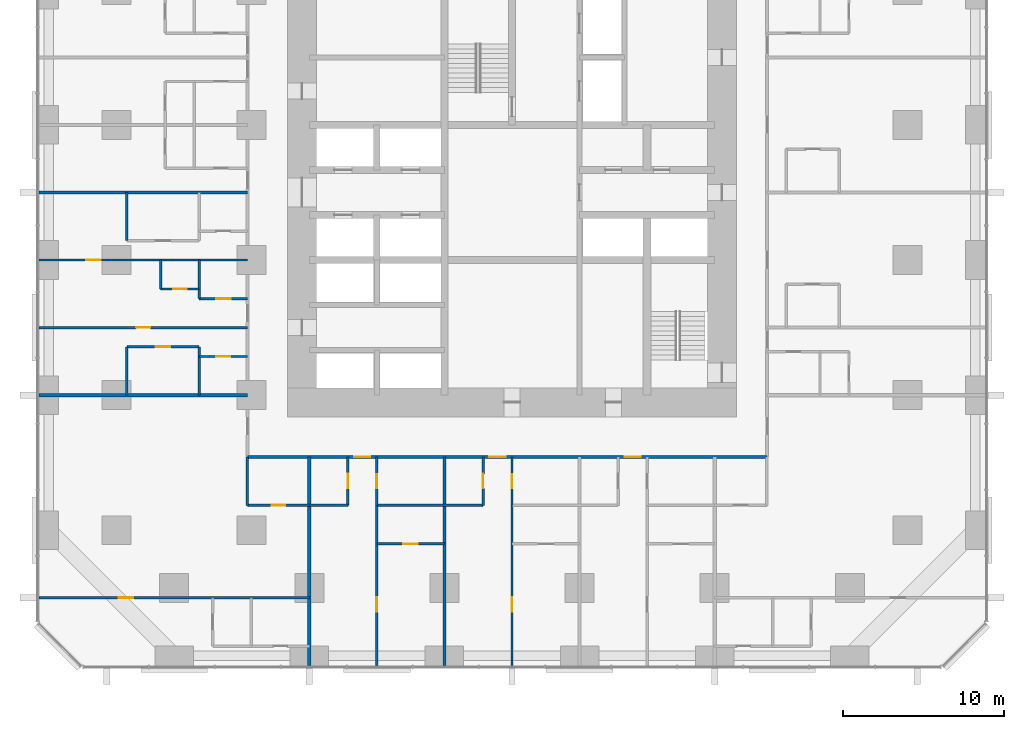
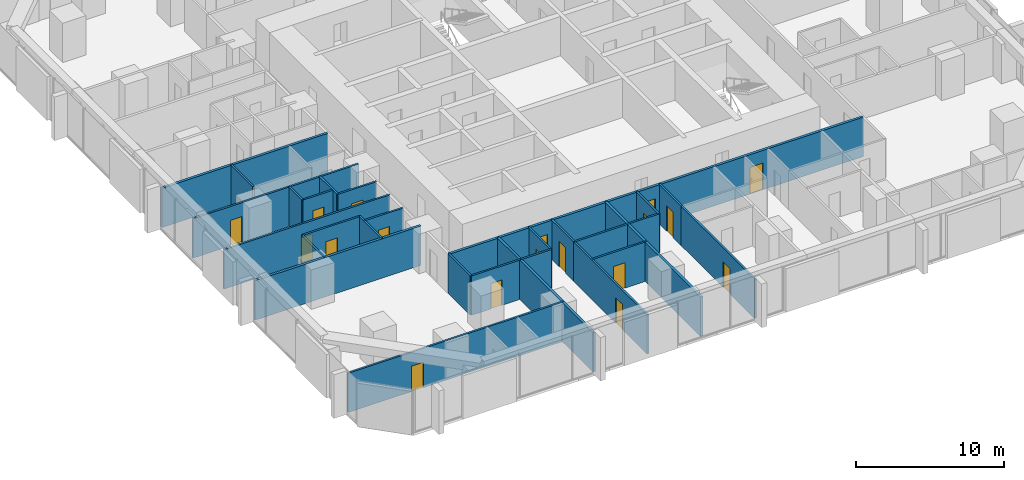
# One storey, part 11 of 17: 28 walls, 18 doors, 18 openings.
"""IFC4 building model written with IfcOpenShell, lengths in metres."""

from ifc_helpers import new_model, si_unit, direction, frame, frame_2d, origin, place, context, subcontext, project, spatial, rectangle, extrude, material, layer, layer_set, type_object, element, fill, save


model = new_model("IFC4")

# Units and contexts
model_context = context("Model", 3, precision=1e-05, world=origin(), true_north=direction((0.0, 1.0)))
body_context = subcontext(model_context, "Body", "Model", "MODEL_VIEW")
ifc_project = project(units=[si_unit("LENGTHUNIT", "METRE"), si_unit("AREAUNIT", "SQUARE_METRE"), si_unit("VOLUMEUNIT", "CUBIC_METRE"), si_unit("PLANEANGLEUNIT", "RADIAN"), si_unit("MASSUNIT", "GRAM", prefix="KILO")], contexts=[model_context])

# Site, building, storey
site_placement = place(None, origin())
site = spatial("IfcSite", under=ifc_project, at=site_placement, CompositionType="ELEMENT")
building_placement = place(site_placement, origin())
building = spatial("IfcBuilding", under=site, at=building_placement, Name="Dunama Terrace Hotel", CompositionType="ELEMENT")
storey_placement = place(building_placement, frame((0.0, 0.0, 48.60009765625)))
storey = spatial("IfcBuildingStorey", under=building, at=storey_placement, Name="L11", CompositionType="ELEMENT", Elevation=48.60009765625)

# Walls
ifc_material_1 = material(Name="Gypsum board partition", Category="masonry")
ifc_layer_1 = layer(ifc_material_1, 0.14990234375)
ifc_layer_set_1 = layer_set([ifc_layer_1], Name="Bathroom partition 150")
wall_type_1 = type_object("IfcWallType", Name="Bathroom partition 150", PredefinedType="PARTITIONING", material=ifc_layer_set_1)
wall_1_placement = place(storey_placement, frame((7.550048828125, 23.39990234375, 0.0), z_axis=(0.0, 0.0, 1.0), x_axis=(0.0, 1.0, 0.0)))
element("IfcWall", 1, at=wall_1_placement, inside=storey, type_object=wall_type_1, Name="Bathroom partition 150 L11", PredefinedType="PARTITIONING", context=body_context, shape_type="SweptSolid", body=[
    extrude(rectangle(XDim=1.800048828125, YDim=0.14990234375, at=frame_2d((0.89990234375, 0.0))), origin(), (0.0, 0.0, 1.0), 3.25),
])
wall_2_placement = place(storey_placement, frame((12.949951171875, 9.949951171875, 0.0), z_axis=(0.0, 0.0, 1.0), x_axis=(0.0, 1.0, 0.0)))
element("IfcWall", 2, at=wall_2_placement, inside=storey, type_object=wall_type_1, Name="Bathroom partition 150 L11", PredefinedType="PARTITIONING", context=body_context, shape_type="SweptSolid", body=[
    extrude(rectangle(XDim=3.0, YDim=0.14990234375, at=frame_2d((1.5, 0.0))), origin(), (0.0, 0.0, 1.0), 3.25),
])

# Wall, opening, door
wall_3_placement = place(storey_placement, frame((21.0, 9.949951171875, 0.0), z_axis=(0.0, 0.0, 1.0), x_axis=(0.0, 1.0, 0.0)))
wall_3 = element("IfcWall", 3, at=wall_3_placement, inside=storey, type_object=wall_type_1, Name="Bathroom partition 150 L11", PredefinedType="PARTITIONING", context=body_context, shape_type="SweptSolid", body=[
    extrude(rectangle(XDim=3.0, YDim=0.14990234375, at=frame_2d((1.5, 0.0))), origin(), (0.0, 0.0, 1.0), 3.25),
])
opening_1_placement = place(wall_3_placement, frame((1.074951171875, 0.0, 0.0)))
opening_1 = element("IfcOpeningElement", 4, at=opening_1_placement, cuts=wall_3, Name="Opening L10-11-011", PredefinedType="OPENING", context=body_context, shape_type="SweptSolid", body=[
    extrude(rectangle(XDim=0.85009765625, YDim=2.10009765625, at=frame_2d((0.425048828125, 1.050048828125))), frame((0.0, 0.0849609375, 0.0), z_axis=(0.0, -1.0, 0.0), x_axis=(1.0, 0.0, 0.0)), (0.0, 0.0, 1.0), 0.169921875),
])
ifc_material_2 = material(Name="Timber door with steel frame", Category="steel")
door_type_1 = type_object("IfcDoorType", Name="Bathroom door 850", OperationType="SINGLE_SWING_LEFT", PredefinedType="DOOR", material=ifc_material_2)
door_1_placement = place(opening_1_placement, frame((0.85009765625, 0.0, 0.0), z_axis=(0.0, 0.0, 1.0), x_axis=(-1.0, 0.0, 0.0)))
door_1 = element("IfcDoor", 5, at=door_1_placement, inside=storey, type_object=door_type_1, Name="Door to residence bathroom L10-11-011, type D2", OperationType="SINGLE_SWING_LEFT", OverallHeight=2.10009765625, OverallWidth=0.85009765625, PredefinedType="DOOR", context=body_context, shape_type="SweptSolid", body=[
    extrude(rectangle(XDim=0.85009765625, YDim=2.10009765625, at=frame_2d((0.425048828125, 1.050048828125))), frame((0.0, 0.025146484375, 0.0), z_axis=(0.0, -1.0, 0.0), x_axis=(1.0, 0.0, 0.0)), (0.0, 0.0, 1.0), 0.050048828125),
])
fill(opening_1, door_1)

wall_4_placement = place(storey_placement, frame((29.39990234375, 9.949951171875, 0.0), z_axis=(0.0, 0.0, 1.0), x_axis=(0.0, 1.0, 0.0)))
wall_4 = element("IfcWall", 6, at=wall_4_placement, inside=storey, type_object=wall_type_1, Name="Bathroom partition 150 L11", PredefinedType="PARTITIONING", context=body_context, shape_type="SweptSolid", body=[
    extrude(rectangle(XDim=3.0, YDim=0.14990234375, at=frame_2d((1.5, 0.0))), origin(), (0.0, 0.0, 1.0), 3.25),
])
opening_2_placement = place(wall_4_placement, frame((1.074951171875, 0.0, 0.0)))
opening_2 = element("IfcOpeningElement", 7, at=opening_2_placement, cuts=wall_4, Name="Opening L10-11-016", PredefinedType="OPENING", context=body_context, shape_type="SweptSolid", body=[
    extrude(rectangle(XDim=0.85009765625, YDim=2.10009765625, at=frame_2d((0.425048828125, 1.050048828125))), frame((0.0, 0.0849609375, 0.0), z_axis=(0.0, -1.0, 0.0), x_axis=(1.0, 0.0, 0.0)), (0.0, 0.0, 1.0), 0.169921875),
])
door_2_placement = place(opening_2_placement, frame((0.85009765625, 0.0, 0.0), z_axis=(0.0, 0.0, 1.0), x_axis=(-1.0, 0.0, 0.0)))
door_2 = element("IfcDoor", 8, at=door_2_placement, inside=storey, type_object=door_type_1, Name="Door to residence bathroom L10-11-016, type D2", OperationType="SINGLE_SWING_LEFT", OverallHeight=2.10009765625, OverallWidth=0.85009765625, PredefinedType="DOOR", context=body_context, shape_type="SweptSolid", body=[
    extrude(rectangle(XDim=0.85009765625, YDim=2.10009765625, at=frame_2d((0.425048828125, 1.050048828125))), frame((0.0, 0.025146484375, 0.0), z_axis=(0.0, -1.0, 0.0), x_axis=(1.0, 0.0, 0.0)), (0.0, 0.0, 1.0), 0.050048828125),
])
fill(opening_2, door_2)

wall_5_placement = place(storey_placement, frame((12.949951171875, 9.949951171875, 0.0), z_axis=(0.0, 0.0, 1.0), x_axis=(1.0, 0.0, 0.0)))
wall_5 = element("IfcWall", 9, at=wall_5_placement, inside=storey, type_object=wall_type_1, Name="Bathroom partition 150 L11", PredefinedType="PARTITIONING", context=body_context, shape_type="SweptSolid", body=[
    extrude(rectangle(XDim=3.85009765625, YDim=0.14990234375, at=frame_2d((1.925048828125, 0.0))), origin(), (0.0, 0.0, 1.0), 3.25),
])
opening_3_placement = place(wall_5_placement, frame((1.5, 0.0, 0.0)))
opening_3 = element("IfcOpeningElement", 10, at=opening_3_placement, cuts=wall_5, Name="Opening L10-11-068", PredefinedType="OPENING", context=body_context, shape_type="SweptSolid", body=[
    extrude(rectangle(XDim=0.85009765625, YDim=2.10009765625, at=frame_2d((0.425048828125, 1.050048828125))), frame((0.0, 0.0849609375, 0.0), z_axis=(0.0, -1.0, 0.0), x_axis=(1.0, 0.0, 0.0)), (0.0, 0.0, 1.0), 0.169921875),
])
door_3_placement = place(opening_3_placement, origin())
door_3 = element("IfcDoor", 11, at=door_3_placement, inside=storey, type_object=door_type_1, Name="Door to powder room L10-11-068, type D2", OperationType="SINGLE_SWING_LEFT", OverallHeight=2.10009765625, OverallWidth=0.85009765625, PredefinedType="DOOR", context=body_context, shape_type="SweptSolid", body=[
    extrude(rectangle(XDim=0.85009765625, YDim=2.10009765625, at=frame_2d((0.425048828125, 1.050048828125))), frame((0.0, 0.02490234375, 0.0), z_axis=(0.0, -1.0, 0.0), x_axis=(1.0, 0.0, 0.0)), (0.0, 0.0, 1.0), 0.050048828125),
])
fill(opening_3, door_3)

wall_6_placement = place(storey_placement, frame((9.949951171875, 19.199951171875, 0.0), z_axis=(0.0, 0.0, 1.0), x_axis=(1.0, 0.0, 0.0)))
wall_6 = element("IfcWall", 12, at=wall_6_placement, inside=storey, type_object=wall_type_1, Name="Bathroom partition 150 L11", PredefinedType="PARTITIONING", context=body_context, shape_type="SweptSolid", body=[
    extrude(rectangle(XDim=3.0, YDim=0.14990234375, at=frame_2d((1.5, 0.0))), origin(), (0.0, 0.0, 1.0), 3.25),
])
opening_4_placement = place(wall_6_placement, frame((1.074951171875, 0.0, 0.0)))
opening_4 = element("IfcOpeningElement", 13, at=opening_4_placement, cuts=wall_6, Name="Opening L10-11-056", PredefinedType="OPENING", context=body_context, shape_type="SweptSolid", body=[
    extrude(rectangle(XDim=0.85009765625, YDim=2.10009765625, at=frame_2d((0.425048828125, 1.050048828125))), frame((0.0, 0.0849609375, 0.0), z_axis=(0.0, -1.0, 0.0), x_axis=(1.0, 0.0, 0.0)), (0.0, 0.0, 1.0), 0.169921875),
])
door_4_placement = place(opening_4_placement, frame((0.85009765625, 0.0, 0.0), z_axis=(0.0, 0.0, 1.0), x_axis=(-1.0, 0.0, 0.0)))
door_4 = element("IfcDoor", 14, at=door_4_placement, inside=storey, type_object=door_type_1, Name="Door to en-suite bathroom L10-11-056, type D2", OperationType="SINGLE_SWING_LEFT", OverallHeight=2.10009765625, OverallWidth=0.85009765625, PredefinedType="DOOR", context=body_context, shape_type="SweptSolid", body=[
    extrude(rectangle(XDim=0.85009765625, YDim=2.10009765625, at=frame_2d((0.425048828125, 1.050048828125))), frame((0.0, 0.025146484375, 0.0), z_axis=(0.0, -1.0, 0.0), x_axis=(1.0, 0.0, 0.0)), (0.0, 0.0, 1.0), 0.050048828125),
])
fill(opening_4, door_4)

wall_7_placement = place(storey_placement, frame((7.550048828125, 23.39990234375, 0.0), z_axis=(0.0, 0.0, 1.0), x_axis=(1.0, 0.0, 0.0)))
wall_7 = element("IfcWall", 15, at=wall_7_placement, inside=storey, type_object=wall_type_1, Name="Bathroom partition 150 L11", PredefinedType="PARTITIONING", context=body_context, shape_type="SweptSolid", body=[
    extrude(rectangle(XDim=2.39990234375, YDim=0.14990234375, at=frame_2d((1.199951171875, 0.0))), origin(), (0.0, 0.0, 1.0), 3.25),
])
opening_5_placement = place(wall_7_placement, frame((0.77490234375, 0.0, 0.0)))
opening_5 = element("IfcOpeningElement", 16, at=opening_5_placement, cuts=wall_7, Name="Opening L10-11-051", PredefinedType="OPENING", context=body_context, shape_type="SweptSolid", body=[
    extrude(rectangle(XDim=0.85009765625, YDim=2.10009765625, at=frame_2d((0.425048828125, 1.050048828125))), frame((0.0, 0.0849609375, 0.0), z_axis=(0.0, -1.0, 0.0), x_axis=(1.0, 0.0, 0.0)), (0.0, 0.0, 1.0), 0.169921875),
])
door_5_placement = place(opening_5_placement, origin())
door_5 = element("IfcDoor", 17, at=door_5_placement, inside=storey, type_object=door_type_1, Name="Door to two-bedroom residence guest wc L10-11-051, type D2", OperationType="SINGLE_SWING_LEFT", OverallHeight=2.10009765625, OverallWidth=0.85009765625, PredefinedType="DOOR", context=body_context, shape_type="SweptSolid", body=[
    extrude(rectangle(XDim=0.85009765625, YDim=2.10009765625, at=frame_2d((0.425048828125, 1.050048828125))), frame((0.0, 0.02490234375, 0.0), z_axis=(0.0, -1.0, 0.0), x_axis=(1.0, 0.0, 0.0)), (0.0, 0.0, 1.0), 0.050048828125),
])
fill(opening_5, door_5)

# Wall, openings, doors
ifc_material_3 = material(Name="Concrete blockwork", Category="masonry")
ifc_layer_2 = layer(ifc_material_3, 0.199951171875)
ifc_layer_set_2 = layer_set([ifc_layer_2], Name="Corridor partition 200")
wall_type_2 = type_object("IfcWallType", Name="Corridor partition 200", PredefinedType="PARTITIONING", material=ifc_layer_set_2)
wall_8_placement = place(storey_placement, frame((45.25, 12.949951171875, 0.0), z_axis=(0.0, 0.0, 1.0), x_axis=(-1.0, 0.0, 0.0)))
wall_8 = element("IfcWall", 18, at=wall_8_placement, inside=storey, type_object=wall_type_2, Name="Corridor partition 200 L11", PredefinedType="PARTITIONING", context=body_context, shape_type="SweptSolid", body=[
    extrude(rectangle(XDim=32.300048828125, YDim=0.199951171875, at=frame_2d((16.14990234375, 0.0))), origin(), (0.0, 0.0, 1.0), 3.25),
])
opening_6_placement = place(wall_8_placement, frame((24.64990234375, 0.0, 0.0)))
opening_6 = element("IfcOpeningElement", 19, at=opening_6_placement, cuts=wall_8, Name="Opening L10-11-009", PredefinedType="OPENING", context=body_context, shape_type="SweptSolid", body=[
    extrude(rectangle(XDim=1.0, YDim=2.199951171875, at=frame_2d((0.5, 1.10009765625))), frame((0.0, 0.10986328125, 0.0), z_axis=(0.0, -1.0, 0.0), x_axis=(1.0, 0.0, 0.0)), (0.0, 0.0, 1.0), 0.219970703125),
])
opening_7_placement = place(wall_8_placement, frame((16.25, 0.0, 0.0)))
opening_7 = element("IfcOpeningElement", 20, at=opening_7_placement, cuts=wall_8, Name="Opening L10-11-014", PredefinedType="OPENING", context=body_context, shape_type="SweptSolid", body=[
    extrude(rectangle(XDim=1.0, YDim=2.199951171875, at=frame_2d((0.5, 1.10009765625))), frame((0.0, 0.10986328125, 0.0), z_axis=(0.0, -1.0, 0.0), x_axis=(1.0, 0.0, 0.0)), (0.0, 0.0, 1.0), 0.219970703125),
])
opening_8_placement = place(wall_8_placement, frame((7.85009765625, 0.0, 0.0)))
opening_8 = element("IfcOpeningElement", 21, at=opening_8_placement, cuts=wall_8, Name="Opening L10-11-019", PredefinedType="OPENING", context=body_context, shape_type="SweptSolid", body=[
    extrude(rectangle(XDim=1.0, YDim=2.199951171875, at=frame_2d((0.5, 1.10009765625))), frame((0.0, 0.10986328125, 0.0), z_axis=(0.0, -1.0, 0.0), x_axis=(1.0, 0.0, 0.0)), (0.0, 0.0, 1.0), 0.219970703125),
])
ifc_material_4 = material(Name="Timber door with steel frame", Category="steel")
door_type_2 = type_object("IfcDoorType", Name="Guest room door 1000", OperationType="SINGLE_SWING_LEFT", PredefinedType="DOOR", material=ifc_material_4)
door_6_placement = place(opening_6_placement, origin())
door_6 = element("IfcDoor", 22, at=door_6_placement, inside=storey, type_object=door_type_2, Name="Door to residence living room L10-11-009, type D1", OperationType="SINGLE_SWING_LEFT", OverallHeight=2.199951171875, OverallWidth=1.0, PredefinedType="DOOR", context=body_context, shape_type="SweptSolid", body=[
    extrude(rectangle(XDim=1.0, YDim=2.199951171875, at=frame_2d((0.5, 1.10009765625))), frame((0.0, 0.02490234375, 0.0), z_axis=(0.0, -1.0, 0.0), x_axis=(1.0, 0.0, 0.0)), (0.0, 0.0, 1.0), 0.050048828125),
])
fill(opening_6, door_6)
door_7_placement = place(opening_7_placement, origin())
door_7 = element("IfcDoor", 23, at=door_7_placement, inside=storey, type_object=door_type_2, Name="Door to residence living room L10-11-014, type D1", OperationType="SINGLE_SWING_LEFT", OverallHeight=2.199951171875, OverallWidth=1.0, PredefinedType="DOOR", context=body_context, shape_type="SweptSolid", body=[
    extrude(rectangle(XDim=1.0, YDim=2.199951171875, at=frame_2d((0.5, 1.10009765625))), frame((0.0, 0.02490234375, 0.0), z_axis=(0.0, -1.0, 0.0), x_axis=(1.0, 0.0, 0.0)), (0.0, 0.0, 1.0), 0.050048828125),
])
fill(opening_7, door_7)
door_8_placement = place(opening_8_placement, origin())
door_8 = element("IfcDoor", 24, at=door_8_placement, inside=storey, type_object=door_type_2, Name="Door to residence living room L10-11-019, type D1", OperationType="SINGLE_SWING_LEFT", OverallHeight=2.199951171875, OverallWidth=1.0, PredefinedType="DOOR", context=body_context, shape_type="SweptSolid", body=[
    extrude(rectangle(XDim=1.0, YDim=2.199951171875, at=frame_2d((0.5, 1.10009765625))), frame((0.0, 0.02490234375, 0.0), z_axis=(0.0, -1.0, 0.0), x_axis=(1.0, 0.0, 0.0)), (0.0, 0.0, 1.0), 0.050048828125),
])
fill(opening_8, door_8)

# Walls
ifc_material_5 = material(Name="Concrete blockwork", Category="masonry")
ifc_layer_3 = layer(ifc_material_5, 0.199951171875)
ifc_layer_set_3 = layer_set([ifc_layer_3], Name="Party wall 200")
wall_type_3 = type_object("IfcWallType", Name="Party wall 200", PredefinedType="PARTITIONING", material=ifc_layer_set_3)
for number, where, z_axis, x_axis, name in (
    (25, (16.800048828125, -0.008056640625, 0.0), (0.0, 0.0, 1.0), (0.0, 1.0, 0.0), "Party wall 200 L11"),
    (26, (25.199951171875, -0.008056640625, 0.0), (0.0, 0.0, 1.0), (0.0, 1.0, 0.0), "Party wall 200 L11"),
    (27, (-0.008056640625, 16.800048828125, 0.0), (0.0, 0.0, 1.0), (1.0, 0.0, 0.0), "Party wall 200 L11"),
    (28, (-0.008056640625, 29.39990234375, 0.0), (0.0, 0.0, 1.0), (1.0, 0.0, 0.0), "Party wall 200 L11"),
):
    element("IfcWall", number, at=place(storey_placement, frame(where, z_axis=z_axis, x_axis=x_axis)), inside=storey, type_object=wall_type_3, Name=name, PredefinedType="PARTITIONING", context=body_context, shape_type="SweptSolid", body=[
        extrude(rectangle(XDim=12.9580078125, YDim=0.199951171875, at=frame_2d((6.47900390625, 0.0))), origin(), (0.0, 0.0, 1.0), 3.25),
    ])
ifc_material_6 = material(Name="Gypsum board partition", Category="masonry")
ifc_layer_4 = layer(ifc_material_6, 0.14990234375)
ifc_layer_set_4 = layer_set([ifc_layer_4], Name="Room partition 150")
wall_type_4 = type_object("IfcWallType", Name="Room partition 150", PredefinedType="PARTITIONING", material=ifc_layer_set_4)
for number, where, z_axis, x_axis, name in (
    (29, (5.449951171875, 16.800048828125, 0.0), (0.0, 0.0, 1.0), (0.0, 1.0, 0.0), "Room partition 150 L11"),
    (30, (5.449951171875, 26.39990234375, 0.0), (0.0, 0.0, 1.0), (0.0, 1.0, 0.0), "Room partition 150 L11"),
    (31, (9.949951171875, 16.800048828125, 0.0), (0.0, 0.0, 1.0), (0.0, 1.0, 0.0), "Room partition 150 L11"),
):
    element("IfcWall", number, at=place(storey_placement, frame(where, z_axis=z_axis, x_axis=x_axis)), inside=storey, type_object=wall_type_4, Name=name, PredefinedType="PARTITIONING", context=body_context, shape_type="SweptSolid", body=[
        extrude(rectangle(XDim=3.0, YDim=0.14990234375, at=frame_2d((1.5, 0.0))), origin(), (0.0, 0.0, 1.0), 3.25),
    ])
wall_9_placement = place(storey_placement, frame((9.949951171875, 22.800048828125, 0.0), z_axis=(0.0, 0.0, 1.0), x_axis=(0.0, 1.0, 0.0)))
element("IfcWall", 32, at=wall_9_placement, inside=storey, type_object=wall_type_4, Name="Room partition 150 L11", PredefinedType="PARTITIONING", context=body_context, shape_type="SweptSolid", body=[
    extrude(rectangle(XDim=2.39990234375, YDim=0.14990234375, at=frame_2d((1.199951171875, 0.0))), origin(), (0.0, 0.0, 1.0), 3.25),
])

# Wall, opening, door
wall_10_placement = place(storey_placement, frame((19.199951171875, 9.949951171875, 0.0), z_axis=(0.0, 0.0, 1.0), x_axis=(0.0, 1.0, 0.0)))
wall_10 = element("IfcWall", 33, at=wall_10_placement, inside=storey, type_object=wall_type_4, Name="Room partition 150 L11", PredefinedType="PARTITIONING", context=body_context, shape_type="SweptSolid", body=[
    extrude(rectangle(XDim=3.0, YDim=0.14990234375, at=frame_2d((1.5, 0.0))), origin(), (0.0, 0.0, 1.0), 3.25),
])
opening_9_placement = place(wall_10_placement, frame((1.050048828125, 0.0, 0.0)))
opening_9 = element("IfcOpeningElement", 34, at=opening_9_placement, cuts=wall_10, Name="Opening L10-11-010", PredefinedType="OPENING", context=body_context, shape_type="SweptSolid", body=[
    extrude(rectangle(XDim=0.89990234375, YDim=2.10009765625, at=frame_2d((0.449951171875, 1.050048828125))), frame((0.0, 0.0849609375, 0.0), z_axis=(0.0, -1.0, 0.0), x_axis=(1.0, 0.0, 0.0)), (0.0, 0.0, 1.0), 0.169921875),
])
ifc_material_7 = material(Name="Timber door with steel frame", Category="steel")
door_type_3 = type_object("IfcDoorType", Name="Suite internal door 900", OperationType="SINGLE_SWING_LEFT", PredefinedType="DOOR", material=ifc_material_7)
door_9_placement = place(opening_9_placement, origin())
door_9 = element("IfcDoor", 35, at=door_9_placement, inside=storey, type_object=door_type_3, Name="Door to residence kitchen L10-11-010, type D16", OperationType="SINGLE_SWING_RIGHT", OverallHeight=2.10009765625, OverallWidth=0.89990234375, PredefinedType="DOOR", context=body_context, shape_type="SweptSolid", body=[
    extrude(rectangle(XDim=0.89990234375, YDim=2.10009765625, at=frame_2d((0.449951171875, 1.050048828125))), frame((0.0, 0.02490234375, 0.0), z_axis=(0.0, -1.0, 0.0), x_axis=(1.0, 0.0, 0.0)), (0.0, 0.0, 1.0), 0.050048828125),
])
fill(opening_9, door_9)

wall_11_placement = place(storey_placement, frame((21.0, -0.008056640625, 0.0), z_axis=(0.0, 0.0, 1.0), x_axis=(0.0, 1.0, 0.0)))
wall_11 = element("IfcWall", 36, at=wall_11_placement, inside=storey, type_object=wall_type_4, Name="Room partition 150 L11", PredefinedType="PARTITIONING", context=body_context, shape_type="SweptSolid", body=[
    extrude(rectangle(XDim=9.9580078125, YDim=0.14990234375, at=frame_2d((4.97900390625, 0.0))), origin(), (0.0, 0.0, 1.0), 3.25),
])
opening_10_placement = place(wall_11_placement, frame((3.3330078125, 0.0, 0.0)))
opening_10 = element("IfcOpeningElement", 37, at=opening_10_placement, cuts=wall_11, Name="Opening L10-11-013", PredefinedType="OPENING", context=body_context, shape_type="SweptSolid", body=[
    extrude(rectangle(XDim=0.89990234375, YDim=2.10009765625, at=frame_2d((0.449951171875, 1.050048828125))), frame((0.0, 0.0849609375, 0.0), z_axis=(0.0, -1.0, 0.0), x_axis=(1.0, 0.0, 0.0)), (0.0, 0.0, 1.0), 0.169921875),
])
door_10_placement = place(opening_10_placement, frame((0.89990234375, 0.0, 0.0), z_axis=(0.0, 0.0, 1.0), x_axis=(-1.0, 0.0, 0.0)))
door_10 = element("IfcDoor", 38, at=door_10_placement, inside=storey, type_object=door_type_3, Name="Door to residence bedroom L10-11-013, type D16", OperationType="SINGLE_SWING_LEFT", OverallHeight=2.10009765625, OverallWidth=0.89990234375, PredefinedType="DOOR", context=body_context, shape_type="SweptSolid", body=[
    extrude(rectangle(XDim=0.89990234375, YDim=2.10009765625, at=frame_2d((0.449951171875, 1.050048828125))), frame((0.0, 0.025146484375, 0.0), z_axis=(0.0, -1.0, 0.0), x_axis=(1.0, 0.0, 0.0)), (0.0, 0.0, 1.0), 0.050048828125),
])
fill(opening_10, door_10)

wall_12_placement = place(storey_placement, frame((27.60009765625, 9.949951171875, 0.0), z_axis=(0.0, 0.0, 1.0), x_axis=(0.0, 1.0, 0.0)))
wall_12 = element("IfcWall", 39, at=wall_12_placement, inside=storey, type_object=wall_type_4, Name="Room partition 150 L11", PredefinedType="PARTITIONING", context=body_context, shape_type="SweptSolid", body=[
    extrude(rectangle(XDim=3.0, YDim=0.14990234375, at=frame_2d((1.5, 0.0))), origin(), (0.0, 0.0, 1.0), 3.25),
])
opening_11_placement = place(wall_12_placement, frame((1.050048828125, 0.0, 0.0)))
opening_11 = element("IfcOpeningElement", 40, at=opening_11_placement, cuts=wall_12, Name="Opening L10-11-015", PredefinedType="OPENING", context=body_context, shape_type="SweptSolid", body=[
    extrude(rectangle(XDim=0.89990234375, YDim=2.10009765625, at=frame_2d((0.449951171875, 1.050048828125))), frame((0.0, 0.0849609375, 0.0), z_axis=(0.0, -1.0, 0.0), x_axis=(1.0, 0.0, 0.0)), (0.0, 0.0, 1.0), 0.169921875),
])
door_11_placement = place(opening_11_placement, origin())
door_11 = element("IfcDoor", 41, at=door_11_placement, inside=storey, type_object=door_type_3, Name="Door to residence kitchen L10-11-015, type D16", OperationType="SINGLE_SWING_RIGHT", OverallHeight=2.10009765625, OverallWidth=0.89990234375, PredefinedType="DOOR", context=body_context, shape_type="SweptSolid", body=[
    extrude(rectangle(XDim=0.89990234375, YDim=2.10009765625, at=frame_2d((0.449951171875, 1.050048828125))), frame((0.0, 0.02490234375, 0.0), z_axis=(0.0, -1.0, 0.0), x_axis=(1.0, 0.0, 0.0)), (0.0, 0.0, 1.0), 0.050048828125),
])
fill(opening_11, door_11)

wall_13_placement = place(storey_placement, frame((29.39990234375, -0.008056640625, 0.0), z_axis=(0.0, 0.0, 1.0), x_axis=(0.0, 1.0, 0.0)))
wall_13 = element("IfcWall", 42, at=wall_13_placement, inside=storey, type_object=wall_type_4, Name="Room partition 150 L11", PredefinedType="PARTITIONING", context=body_context, shape_type="SweptSolid", body=[
    extrude(rectangle(XDim=9.9580078125, YDim=0.14990234375, at=frame_2d((4.97900390625, 0.0))), origin(), (0.0, 0.0, 1.0), 3.25),
])
opening_12_placement = place(wall_13_placement, frame((3.3330078125, 0.0, 0.0)))
opening_12 = element("IfcOpeningElement", 43, at=opening_12_placement, cuts=wall_13, Name="Opening L10-11-018", PredefinedType="OPENING", context=body_context, shape_type="SweptSolid", body=[
    extrude(rectangle(XDim=0.89990234375, YDim=2.10009765625, at=frame_2d((0.449951171875, 1.050048828125))), frame((0.0, 0.0849609375, 0.0), z_axis=(0.0, -1.0, 0.0), x_axis=(1.0, 0.0, 0.0)), (0.0, 0.0, 1.0), 0.169921875),
])
door_12_placement = place(opening_12_placement, frame((0.89990234375, 0.0, 0.0), z_axis=(0.0, 0.0, 1.0), x_axis=(-1.0, 0.0, 0.0)))
door_12 = element("IfcDoor", 44, at=door_12_placement, inside=storey, type_object=door_type_3, Name="Door to residence bedroom L10-11-018, type D16", OperationType="SINGLE_SWING_LEFT", OverallHeight=2.10009765625, OverallWidth=0.89990234375, PredefinedType="DOOR", context=body_context, shape_type="SweptSolid", body=[
    extrude(rectangle(XDim=0.89990234375, YDim=2.10009765625, at=frame_2d((0.449951171875, 1.050048828125))), frame((0.0, 0.025146484375, 0.0), z_axis=(0.0, -1.0, 0.0), x_axis=(1.0, 0.0, 0.0)), (0.0, 0.0, 1.0), 0.050048828125),
])
fill(opening_12, door_12)

wall_14_placement = place(storey_placement, frame((-0.008056640625, 4.199951171875, 0.0), z_axis=(0.0, 0.0, 1.0), x_axis=(1.0, 0.0, 0.0)))
wall_14 = element("IfcWall", 45, at=wall_14_placement, inside=storey, type_object=wall_type_4, Name="Room partition 150 L11", PredefinedType="PARTITIONING", context=body_context, shape_type="SweptSolid", body=[
    extrude(rectangle(XDim=16.80810546875, YDim=0.14990234375, at=frame_2d((8.404052734375, 0.0))), origin(), (0.0, 0.0, 1.0), 3.25),
])
opening_13_placement = place(wall_14_placement, frame((4.9580078125, 0.0, 0.0)))
opening_13 = element("IfcOpeningElement", 46, at=opening_13_placement, cuts=wall_14, Name="Opening L10-11-069", PredefinedType="OPENING", context=body_context, shape_type="SweptSolid", body=[
    extrude(rectangle(XDim=0.89990234375, YDim=2.10009765625, at=frame_2d((0.449951171875, 1.050048828125))), frame((0.0, 0.0849609375, 0.0), z_axis=(0.0, -1.0, 0.0), x_axis=(1.0, 0.0, 0.0)), (0.0, 0.0, 1.0), 0.169921875),
])
door_13_placement = place(opening_13_placement, frame((0.89990234375, 0.0, 0.0), z_axis=(0.0, 0.0, 1.0), x_axis=(-1.0, 0.0, 0.0)))
door_13 = element("IfcDoor", 47, at=door_13_placement, inside=storey, type_object=door_type_3, Name="Door to corner suite bedroom L10-11-069, type D16", OperationType="SINGLE_SWING_LEFT", OverallHeight=2.10009765625, OverallWidth=0.89990234375, PredefinedType="DOOR", context=body_context, shape_type="SweptSolid", body=[
    extrude(rectangle(XDim=0.89990234375, YDim=2.10009765625, at=frame_2d((0.449951171875, 1.050048828125))), frame((0.0, 0.025146484375, 0.0), z_axis=(0.0, -1.0, 0.0), x_axis=(1.0, 0.0, 0.0)), (0.0, 0.0, 1.0), 0.050048828125),
])
fill(opening_13, door_13)

wall_15_placement = place(storey_placement, frame((21.0, 7.550048828125, 0.0), z_axis=(0.0, 0.0, 1.0), x_axis=(1.0, 0.0, 0.0)))
wall_15 = element("IfcWall", 48, at=wall_15_placement, inside=storey, type_object=wall_type_4, Name="Room partition 150 L11", PredefinedType="PARTITIONING", context=body_context, shape_type="SweptSolid", body=[
    extrude(rectangle(XDim=4.199951171875, YDim=0.14990234375, at=frame_2d((2.10009765625, 0.0))), origin(), (0.0, 0.0, 1.0), 3.25),
])
opening_14_placement = place(wall_15_placement, frame((1.64990234375, 0.0, 0.0)))
opening_14 = element("IfcOpeningElement", 49, at=opening_14_placement, cuts=wall_15, Name="Opening L10-11-012", PredefinedType="OPENING", context=body_context, shape_type="SweptSolid", body=[
    extrude(rectangle(XDim=0.89990234375, YDim=2.10009765625, at=frame_2d((0.449951171875, 1.050048828125))), frame((0.0, 0.0849609375, 0.0), z_axis=(0.0, -1.0, 0.0), x_axis=(1.0, 0.0, 0.0)), (0.0, 0.0, 1.0), 0.169921875),
])
door_14_placement = place(opening_14_placement, origin())
door_14 = element("IfcDoor", 50, at=door_14_placement, inside=storey, type_object=door_type_3, Name="Door to walk-in wardrobe L10-11-012, type D16", OperationType="SINGLE_SWING_LEFT", OverallHeight=2.10009765625, OverallWidth=0.89990234375, PredefinedType="DOOR", context=body_context, shape_type="SweptSolid", body=[
    extrude(rectangle(XDim=0.89990234375, YDim=2.10009765625, at=frame_2d((0.449951171875, 1.050048828125))), frame((0.0, 0.02490234375, 0.0), z_axis=(0.0, -1.0, 0.0), x_axis=(1.0, 0.0, 0.0)), (0.0, 0.0, 1.0), 0.050048828125),
])
fill(opening_14, door_14)

# Walls
wall_16_placement = place(storey_placement, frame((16.800048828125, 9.949951171875, 0.0), z_axis=(0.0, 0.0, 1.0), x_axis=(1.0, 0.0, 0.0)))
element("IfcWall", 51, at=wall_16_placement, inside=storey, type_object=wall_type_4, Name="Room partition 150 L11", PredefinedType="PARTITIONING", context=body_context, shape_type="SweptSolid", body=[
    extrude(rectangle(XDim=2.39990234375, YDim=0.14990234375, at=frame_2d((1.199951171875, 0.0))), origin(), (0.0, 0.0, 1.0), 3.25),
])
wall_17_placement = place(storey_placement, frame((21.0, 9.949951171875, 0.0), z_axis=(0.0, 0.0, 1.0), x_axis=(1.0, 0.0, 0.0)))
element("IfcWall", 52, at=wall_17_placement, inside=storey, type_object=wall_type_4, Name="Room partition 150 L11", PredefinedType="PARTITIONING", context=body_context, shape_type="SweptSolid", body=[
    extrude(rectangle(XDim=6.60009765625, YDim=0.14990234375, at=frame_2d((3.300048828125, 0.0))), origin(), (0.0, 0.0, 1.0), 3.25),
])

# Wall, opening, door
wall_18_placement = place(storey_placement, frame((5.449951171875, 19.800048828125, 0.0), z_axis=(0.0, 0.0, 1.0), x_axis=(1.0, 0.0, 0.0)))
wall_18 = element("IfcWall", 53, at=wall_18_placement, inside=storey, type_object=wall_type_4, Name="Room partition 150 L11", PredefinedType="PARTITIONING", context=body_context, shape_type="SweptSolid", body=[
    extrude(rectangle(XDim=4.5, YDim=0.14990234375, at=frame_2d((2.25, 0.0))), origin(), (0.0, 0.0, 1.0), 3.25),
])
opening_15_placement = place(wall_18_placement, frame((1.800048828125, 0.0, 0.0)))
opening_15 = element("IfcOpeningElement", 54, at=opening_15_placement, cuts=wall_18, Name="Opening L10-11-057", PredefinedType="OPENING", context=body_context, shape_type="SweptSolid", body=[
    extrude(rectangle(XDim=0.89990234375, YDim=2.10009765625, at=frame_2d((0.449951171875, 1.050048828125))), frame((0.0, 0.0849609375, 0.0), z_axis=(0.0, -1.0, 0.0), x_axis=(1.0, 0.0, 0.0)), (0.0, 0.0, 1.0), 0.169921875),
])
door_15_placement = place(opening_15_placement, frame((0.89990234375, 0.0, 0.0), z_axis=(0.0, 0.0, 1.0), x_axis=(-1.0, 0.0, 0.0)))
door_15 = element("IfcDoor", 55, at=door_15_placement, inside=storey, type_object=door_type_3, Name="Door to walk-in wardrobe L10-11-057, type D16", OperationType="SINGLE_SWING_RIGHT", OverallHeight=2.10009765625, OverallWidth=0.89990234375, PredefinedType="DOOR", context=body_context, shape_type="SweptSolid", body=[
    extrude(rectangle(XDim=0.89990234375, YDim=2.10009765625, at=frame_2d((0.449951171875, 1.050048828125))), frame((0.0, 0.025146484375, 0.0), z_axis=(0.0, -1.0, 0.0), x_axis=(1.0, 0.0, 0.0)), (0.0, 0.0, 1.0), 0.050048828125),
])
fill(opening_15, door_15)

wall_19_placement = place(storey_placement, frame((-0.008056640625, 21.0, 0.0), z_axis=(0.0, 0.0, 1.0), x_axis=(1.0, 0.0, 0.0)))
wall_19 = element("IfcWall", 56, at=wall_19_placement, inside=storey, type_object=wall_type_4, Name="Room partition 150 L11", PredefinedType="PARTITIONING", context=body_context, shape_type="SweptSolid", body=[
    extrude(rectangle(XDim=12.9580078125, YDim=0.14990234375, at=frame_2d((6.47900390625, 0.0))), origin(), (0.0, 0.0, 1.0), 3.25),
])
opening_16_placement = place(wall_19_placement, frame((6.032958984375, 0.0, 0.0)))
opening_16 = element("IfcOpeningElement", 57, at=opening_16_placement, cuts=wall_19, Name="Opening L10-11-055", PredefinedType="OPENING", context=body_context, shape_type="SweptSolid", body=[
    extrude(rectangle(XDim=0.89990234375, YDim=2.10009765625, at=frame_2d((0.449951171875, 1.050048828125))), frame((0.0, 0.0849609375, 0.0), z_axis=(0.0, -1.0, 0.0), x_axis=(1.0, 0.0, 0.0)), (0.0, 0.0, 1.0), 0.169921875),
])
door_16_placement = place(opening_16_placement, frame((0.89990234375, 0.0, 0.0), z_axis=(0.0, 0.0, 1.0), x_axis=(-1.0, 0.0, 0.0)))
door_16 = element("IfcDoor", 58, at=door_16_placement, inside=storey, type_object=door_type_3, Name="Door to two-bedroom residence second bedroom L10-11-055, type D16", OperationType="SINGLE_SWING_RIGHT", OverallHeight=2.10009765625, OverallWidth=0.89990234375, PredefinedType="DOOR", context=body_context, shape_type="SweptSolid", body=[
    extrude(rectangle(XDim=0.89990234375, YDim=2.10009765625, at=frame_2d((0.449951171875, 1.050048828125))), frame((0.0, 0.025146484375, 0.0), z_axis=(0.0, -1.0, 0.0), x_axis=(1.0, 0.0, 0.0)), (0.0, 0.0, 1.0), 0.050048828125),
])
fill(opening_16, door_16)

wall_20_placement = place(storey_placement, frame((9.949951171875, 22.800048828125, 0.0), z_axis=(0.0, 0.0, 1.0), x_axis=(1.0, 0.0, 0.0)))
wall_20 = element("IfcWall", 59, at=wall_20_placement, inside=storey, type_object=wall_type_4, Name="Room partition 150 L11", PredefinedType="PARTITIONING", context=body_context, shape_type="SweptSolid", body=[
    extrude(rectangle(XDim=3.0, YDim=0.14990234375, at=frame_2d((1.5, 0.0))), origin(), (0.0, 0.0, 1.0), 3.25),
])
opening_17_placement = place(wall_20_placement, frame((1.050048828125, 0.0, 0.0)))
opening_17 = element("IfcOpeningElement", 60, at=opening_17_placement, cuts=wall_20, Name="Opening L10-11-050", PredefinedType="OPENING", context=body_context, shape_type="SweptSolid", body=[
    extrude(rectangle(XDim=0.89990234375, YDim=2.10009765625, at=frame_2d((0.449951171875, 1.050048828125))), frame((0.0, 0.0849609375, 0.0), z_axis=(0.0, -1.0, 0.0), x_axis=(1.0, 0.0, 0.0)), (0.0, 0.0, 1.0), 0.169921875),
])
door_17_placement = place(opening_17_placement, origin())
door_17 = element("IfcDoor", 61, at=door_17_placement, inside=storey, type_object=door_type_3, Name="Door to two-bedroom residence kitchen L10-11-050, type D16", OperationType="SINGLE_SWING_RIGHT", OverallHeight=2.10009765625, OverallWidth=0.89990234375, PredefinedType="DOOR", context=body_context, shape_type="SweptSolid", body=[
    extrude(rectangle(XDim=0.89990234375, YDim=2.10009765625, at=frame_2d((0.449951171875, 1.050048828125))), frame((0.0, 0.02490234375, 0.0), z_axis=(0.0, -1.0, 0.0), x_axis=(1.0, 0.0, 0.0)), (0.0, 0.0, 1.0), 0.050048828125),
])
fill(opening_17, door_17)

wall_21_placement = place(storey_placement, frame((-0.008056640625, 25.199951171875, 0.0), z_axis=(0.0, 0.0, 1.0), x_axis=(1.0, 0.0, 0.0)))
wall_21 = element("IfcWall", 62, at=wall_21_placement, inside=storey, type_object=wall_type_4, Name="Room partition 150 L11", PredefinedType="PARTITIONING", context=body_context, shape_type="SweptSolid", body=[
    extrude(rectangle(XDim=12.9580078125, YDim=0.14990234375, at=frame_2d((6.47900390625, 0.0))), origin(), (0.0, 0.0, 1.0), 3.25),
])
opening_18_placement = place(wall_21_placement, frame((2.93310546875, 0.0, 0.0)))
opening_18 = element("IfcOpeningElement", 63, at=opening_18_placement, cuts=wall_21, Name="Opening L10-11-052", PredefinedType="OPENING", context=body_context, shape_type="SweptSolid", body=[
    extrude(rectangle(XDim=0.89990234375, YDim=2.10009765625, at=frame_2d((0.449951171875, 1.050048828125))), frame((0.0, 0.0849609375, 0.0), z_axis=(0.0, -1.0, 0.0), x_axis=(1.0, 0.0, 0.0)), (0.0, 0.0, 1.0), 0.169921875),
])
door_18_placement = place(opening_18_placement, origin())
door_18 = element("IfcDoor", 64, at=door_18_placement, inside=storey, type_object=door_type_3, Name="Door to two-bedroom residence bedroom L10-11-052, type D16", OperationType="SINGLE_SWING_RIGHT", OverallHeight=2.10009765625, OverallWidth=0.89990234375, PredefinedType="DOOR", context=body_context, shape_type="SweptSolid", body=[
    extrude(rectangle(XDim=0.89990234375, YDim=2.10009765625, at=frame_2d((0.449951171875, 1.050048828125))), frame((0.0, 0.02490234375, 0.0), z_axis=(0.0, -1.0, 0.0), x_axis=(1.0, 0.0, 0.0)), (0.0, 0.0, 1.0), 0.050048828125),
])
fill(opening_18, door_18)

save(model, "model.ifc")
